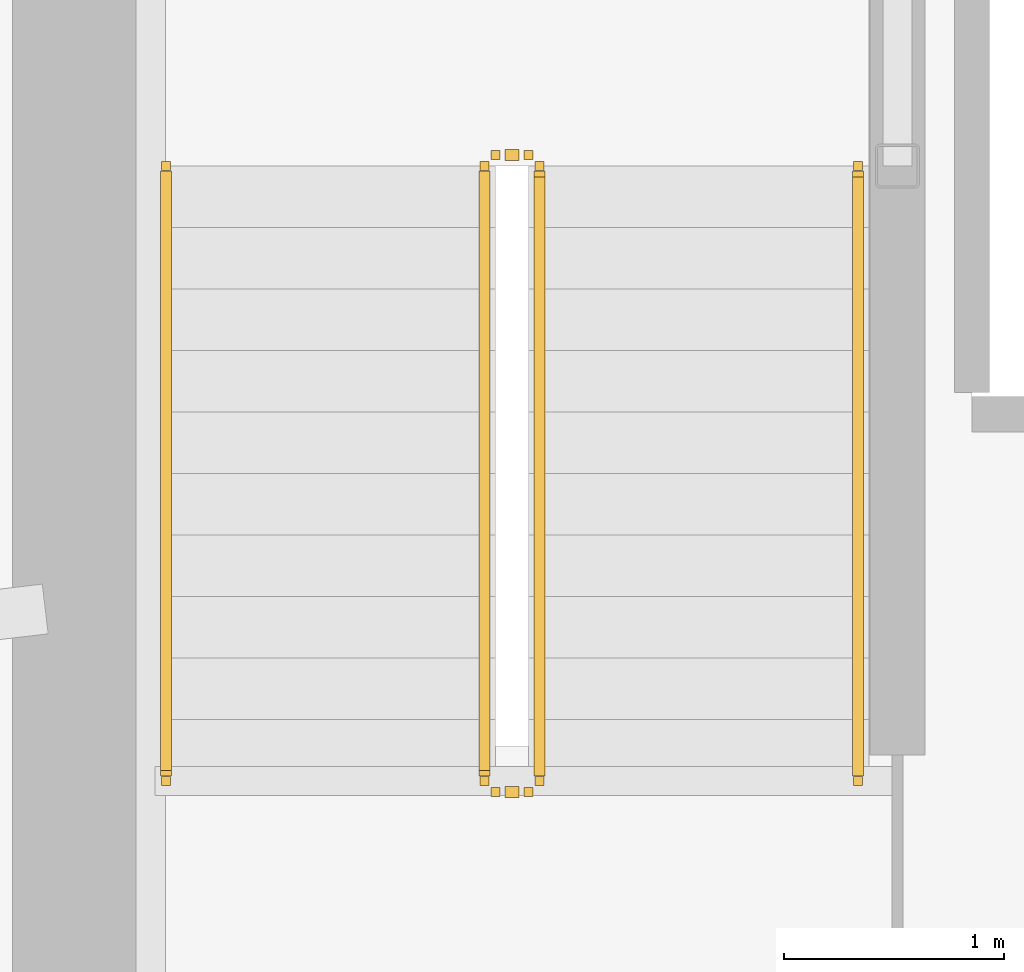
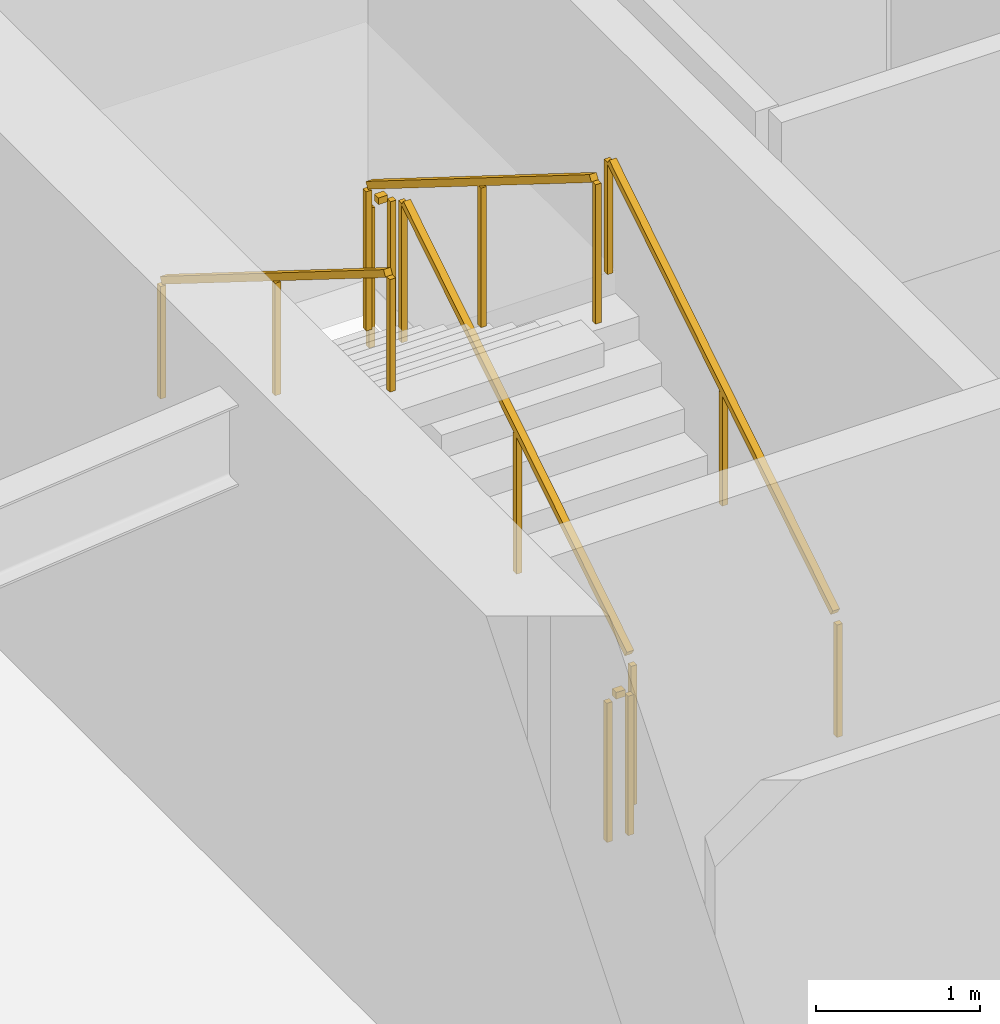
# One storey, part 25 of 30: 6 railings.
"""IFC4 building model written with IfcOpenShell, lengths in metres."""

from ifc_helpers import new_model, si_unit, direction, frame, origin, origin_2d, place, context, subcontext, project, spatial, rectangle, extrude, material, type_object, element, save


model = new_model("IFC4")

# Units and contexts
model_context = context("Model", 3, precision=1e-05, world=origin(), true_north=direction((0.0, 1.0)))
body_context = subcontext(model_context, "Body", "Model", "MODEL_VIEW")
ifc_project = project(units=[si_unit("LENGTHUNIT", "METRE"), si_unit("AREAUNIT", "SQUARE_METRE"), si_unit("VOLUMEUNIT", "CUBIC_METRE"), si_unit("PLANEANGLEUNIT", "RADIAN"), si_unit("MASSUNIT", "GRAM", prefix="KILO")], contexts=[model_context])

# Site, building, storey
site_placement = place(None, origin())
site = spatial("IfcSite", under=ifc_project, at=site_placement, CompositionType="ELEMENT")
building_placement = place(site_placement, origin())
building = spatial("IfcBuilding", under=site, at=building_placement, Name="Kazma Halo Residences", CompositionType="ELEMENT")
storey_placement = place(building_placement, frame((0.0, 0.0, 255.949951171875)))
storey = spatial("IfcBuildingStorey", under=building, at=storey_placement, Name="L64", CompositionType="ELEMENT", Elevation=255.949951171875)

# Railings
ifc_material_1 = material(Name="Painted Steel S355", Category="steel")
railing_type_1 = type_object("IfcRailingType", Name="RLG-STAIR-GRD-1100", PredefinedType="GUARDRAIL", material=ifc_material_1)
railing_1_placement = place(storey_placement, frame((39.550048828125, 39.949951171875, 0.175048828125)))
element("IfcRailing", 1, at=railing_1_placement, inside=storey, type_object=railing_type_1, Name="L64 ST-01 stair guard 1", PredefinedType="GUARDRAIL", context=body_context, shape_type="SweptSolid", body=[
    extrude(rectangle(XDim=0.050048828125, YDim=0.050048828125, at=origin_2d()), frame((0.0, 0.0361328125, 1.09765625), z_axis=(0.0, 0.848002457836, 0.529992293815), x_axis=(-1.0, 0.0, 0.0)), (0.0, 0.0, 1.0), 3.216796875),
    extrude(rectangle(XDim=0.0400390625, YDim=0.0400390625, at=origin_2d()), origin(), (0.0, 0.0, 1.0), 1.0380859375),
    extrude(rectangle(XDim=0.0400390625, YDim=0.0400390625, at=origin_2d()), frame((0.0, 1.39990234375, 0.875)), (0.0, 0.0, 1.0), 1.0380859375),
    extrude(rectangle(XDim=0.0400390625, YDim=0.0400390625, at=origin_2d()), frame((0.0, 2.800048828125, 1.75)), (0.0, 0.0, 1.0), 1.0380859375),
])
railing_2_placement = place(storey_placement, frame((39.5, 42.800048828125, 1.925048828125)))
element("IfcRailing", 2, at=railing_2_placement, inside=storey, type_object=railing_type_1, Name="L64 ST-01 stair guard 2", PredefinedType="GUARDRAIL", context=body_context, shape_type="SweptSolid", body=[
    extrude(rectangle(XDim=0.050048828125, YDim=0.050048828125, at=origin_2d()), frame((-0.04248046875, 0.0, 1.0751953125), z_axis=(-1.0, 0.0, 0.0), x_axis=(0.0, -1.0, 0.0)), (0.0, 0.0, 1.0), 0.06494140625),
    extrude(rectangle(XDim=0.0400390625, YDim=0.0400390625, at=origin_2d()), origin(), (0.0, 0.0, 1.0), 1.0380859375),
    extrude(rectangle(XDim=0.0400390625, YDim=0.0400390625, at=origin_2d()), frame((-0.14990234375, 0.0, 0.0)), (0.0, 0.0, 1.0), 1.0380859375),
])
railing_3_placement = place(storey_placement, frame((39.300048828125, 42.75, 2.10009765625)))
element("IfcRailing", 3, at=railing_3_placement, inside=storey, type_object=railing_type_1, Name="L64 ST-01 stair guard 3", PredefinedType="GUARDRAIL", context=body_context, shape_type="SweptSolid", body=[
    extrude(rectangle(XDim=0.050048828125, YDim=0.050048828125, at=origin_2d()), frame((0.0, -0.0361328125, 1.09765625), z_axis=(0.0, -0.848002457836, 0.529992293815), x_axis=(1.0, 0.0, 0.0)), (0.0, 0.0, 1.0), 3.216796875),
    extrude(rectangle(XDim=0.0400390625, YDim=0.0400390625, at=origin_2d()), origin(), (0.0, 0.0, 1.0), 1.0380859375),
    extrude(rectangle(XDim=0.0400390625, YDim=0.0400390625, at=origin_2d()), frame((0.0, -1.39990234375, 0.875)), (0.0, 0.0, 1.0), 1.0380859375),
    extrude(rectangle(XDim=0.0400390625, YDim=0.0400390625, at=origin_2d()), frame((0.0, -2.800048828125, 1.75)), (0.0, 0.0, 1.0), 1.0380859375),
])
railing_4_placement = place(storey_placement, frame((39.5, 39.89990234375, 0.0)))
element("IfcRailing", 4, at=railing_4_placement, inside=storey, type_object=railing_type_1, Name="L64 ST-01 stair guard 4", PredefinedType="GUARDRAIL", context=body_context, shape_type="SweptSolid", body=[
    extrude(rectangle(XDim=0.050048828125, YDim=0.050048828125, at=origin_2d()), frame((-0.04248046875, 0.0, 1.0751953125), z_axis=(-1.0, 0.0, 0.0), x_axis=(0.0, -1.0, 0.0)), (0.0, 0.0, 1.0), 0.06494140625),
    extrude(rectangle(XDim=0.0400390625, YDim=0.0400390625, at=origin_2d()), origin(), (0.0, 0.0, 1.0), 1.0380859375),
    extrude(rectangle(XDim=0.0400390625, YDim=0.0400390625, at=origin_2d()), frame((-0.14990234375, 0.0, 0.0)), (0.0, 0.0, 1.0), 1.0380859375),
])
ifc_material_2 = material(Name="Brushed Stainless Steel", Category="steel")
railing_type_2 = type_object("IfcRailingType", Name="RLG-STAIR-HND-900", PredefinedType="HANDRAIL", material=ifc_material_2)
railing_5_placement = place(storey_placement, frame((41.0, 39.949951171875, 0.175048828125)))
element("IfcRailing", 5, at=railing_5_placement, inside=storey, type_object=railing_type_2, Name="L64 ST-01 stair handrail 1", PredefinedType="HANDRAIL", context=body_context, shape_type="SweptSolid", body=[
    extrude(rectangle(XDim=0.050048828125, YDim=0.050048828125, at=origin_2d()), frame((0.0, 0.0361328125, 0.8974609375), z_axis=(0.0, 0.848002457836, 0.529992293815), x_axis=(-1.0, 0.0, 0.0)), (0.0, 0.0, 1.0), 3.216796875),
    extrude(rectangle(XDim=0.0400390625, YDim=0.0400390625, at=origin_2d()), origin(), (0.0, 0.0, 1.0), 0.837890625),
    extrude(rectangle(XDim=0.0400390625, YDim=0.0400390625, at=origin_2d()), frame((0.0, 1.39990234375, 0.875)), (0.0, 0.0, 1.0), 0.837890625),
    extrude(rectangle(XDim=0.0400390625, YDim=0.0400390625, at=origin_2d()), frame((0.0, 2.800048828125, 1.75)), (0.0, 0.0, 1.0), 0.837890625),
])
railing_6_placement = place(storey_placement, frame((37.85009765625, 42.75, 2.10009765625)))
element("IfcRailing", 6, at=railing_6_placement, inside=storey, type_object=railing_type_2, Name="L64 ST-01 stair handrail 2", PredefinedType="HANDRAIL", context=body_context, shape_type="SweptSolid", body=[
    extrude(rectangle(XDim=0.050048828125, YDim=0.050048828125, at=origin_2d()), frame((0.0, -0.0361328125, 0.8974609375), z_axis=(0.0, -0.848002457836, 0.529992293815), x_axis=(1.0, 0.0, 0.0)), (0.0, 0.0, 1.0), 3.216796875),
    extrude(rectangle(XDim=0.0400390625, YDim=0.0400390625, at=origin_2d()), origin(), (0.0, 0.0, 1.0), 0.837890625),
    extrude(rectangle(XDim=0.0400390625, YDim=0.0400390625, at=origin_2d()), frame((0.0, -1.39990234375, 0.875)), (0.0, 0.0, 1.0), 0.837890625),
    extrude(rectangle(XDim=0.0400390625, YDim=0.0400390625, at=origin_2d()), frame((0.0, -2.800048828125, 1.75)), (0.0, 0.0, 1.0), 0.837890625),
])

save(model, "model.ifc")
